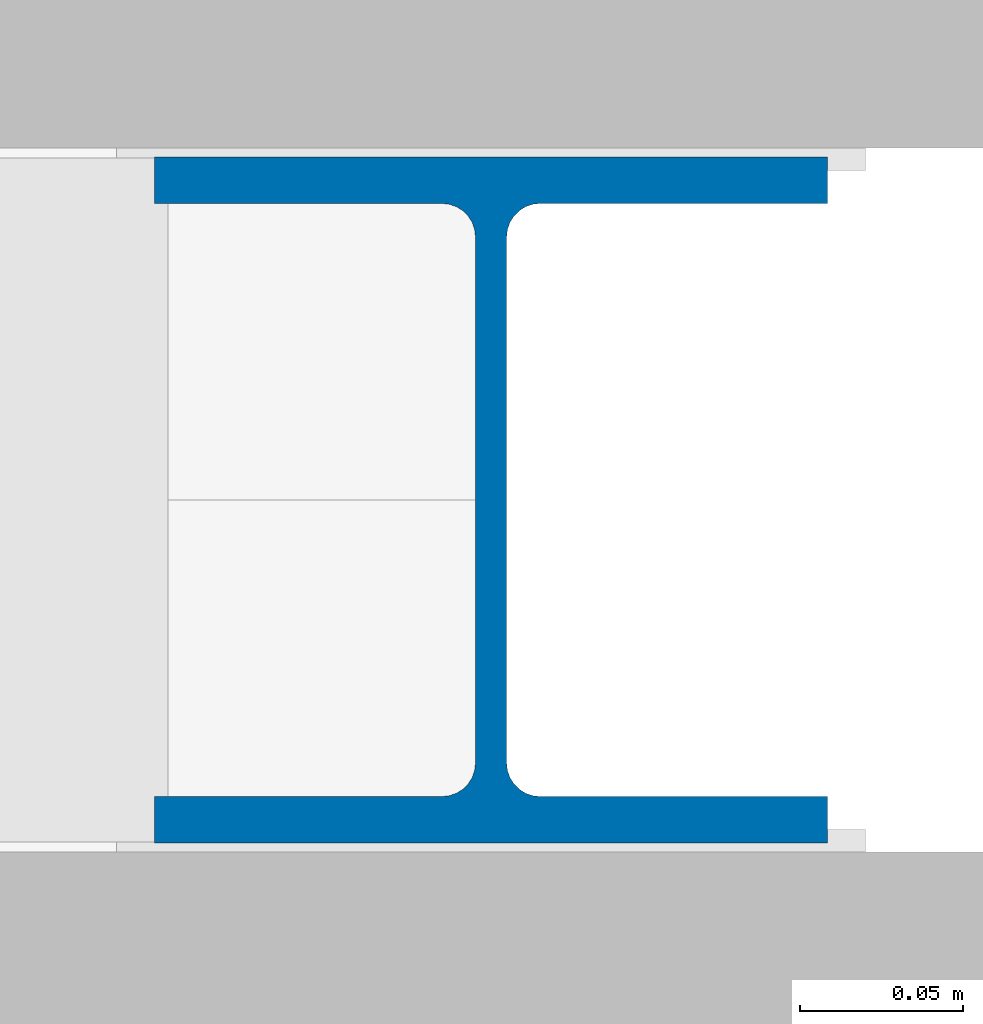
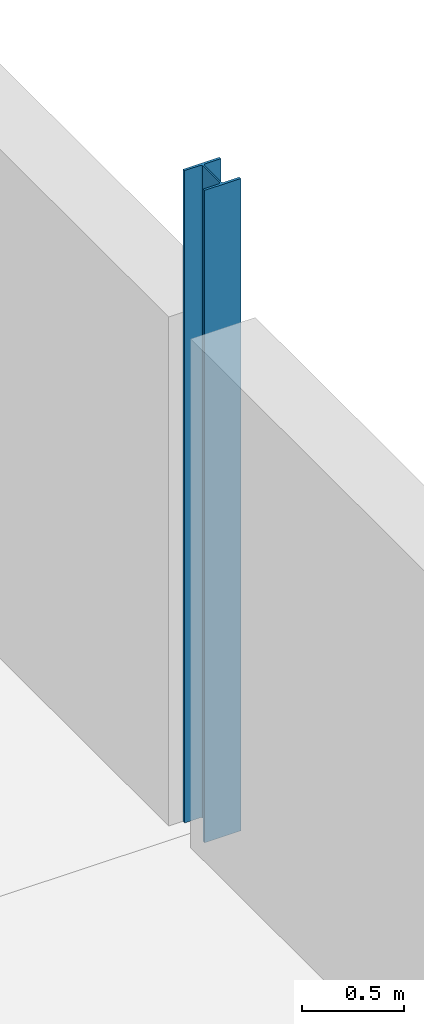
# One storey, part 13 of 35: 1 column.
"""IFC4 building model written with IfcOpenShell, lengths in metres."""

from ifc_helpers import new_model, si_unit, direction, frame, origin, origin_2d, place, context, subcontext, project, spatial, i_section, extrude, material, material_profile, profile_set, type_object, element, save


model = new_model("IFC4")

# Units and contexts
model_context = context("Model", 3, precision=1e-05, world=origin(), true_north=direction((0.0, 1.0)))
body_context = subcontext(model_context, "Body", "Model", "MODEL_VIEW")
ifc_project = project(units=[si_unit("LENGTHUNIT", "METRE"), si_unit("AREAUNIT", "SQUARE_METRE"), si_unit("VOLUMEUNIT", "CUBIC_METRE"), si_unit("PLANEANGLEUNIT", "RADIAN"), si_unit("MASSUNIT", "GRAM", prefix="KILO")], contexts=[model_context])

# Site, building, storey
site_placement = place(None, origin())
site = spatial("IfcSite", under=ifc_project, at=site_placement, CompositionType="ELEMENT")
building_placement = place(site_placement, origin())
building = spatial("IfcBuilding", under=site, at=building_placement, Name="Kisiwana Market Hall", CompositionType="ELEMENT")
storey_placement = place(building_placement, frame((0.0, 0.0, 61.800048828125)))
storey = spatial("IfcBuildingStorey", under=building, at=storey_placement, Name="L14", CompositionType="ELEMENT", Elevation=61.800048828125)

# Column
ifc_material = material(Name="Steel S355", Category="steel")
ifc_material_profile = material_profile(ifc_material, i_section(OverallWidth=0.205810546875, OverallDepth=0.209716796875, WebThickness=0.009521484375, FlangeThickness=0.01416015625, FilletRadius=0.01025390625, at=origin_2d()), Name="UC 203x203x60")
ifc_profile_set = profile_set([ifc_material_profile], Name="Steel S355")
column_type = type_object("IfcColumnType", Name="COL-STL-UC060", PredefinedType="COLUMN", material=ifc_profile_set)
column_placement = place(storey_placement, frame((198.0, 60.0, 0.0), z_axis=(0.0, 0.0, 1.0), x_axis=(1.0, 0.0, 0.0)))
element("IfcColumn", 1, at=column_placement, inside=storey, type_object=column_type, Name="Column H/23 (L14) C-1475", PredefinedType="COLUMN", context=body_context, shape_type="SweptSolid", body=[
    extrude(i_section(OverallWidth=0.205810546875, OverallDepth=0.209716796875, WebThickness=0.009521484375, FlangeThickness=0.01416015625, FilletRadius=0.01025390625, at=origin_2d()), origin(), (0.0, 0.0, 1.0), 3.89990234375),
])

save(model, "model.ifc")
